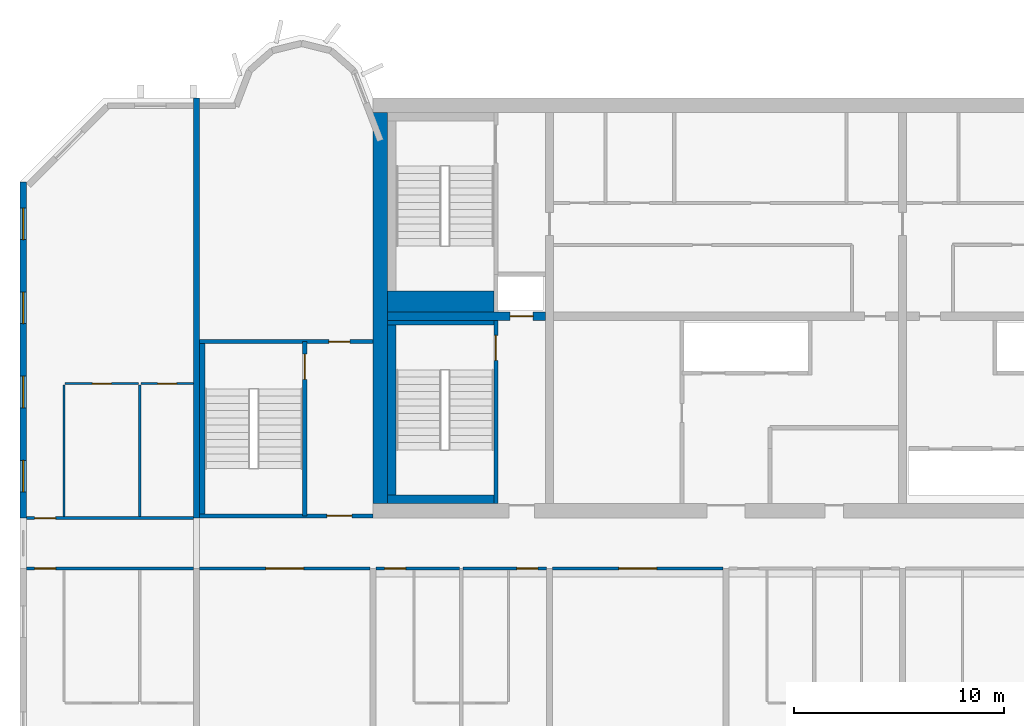
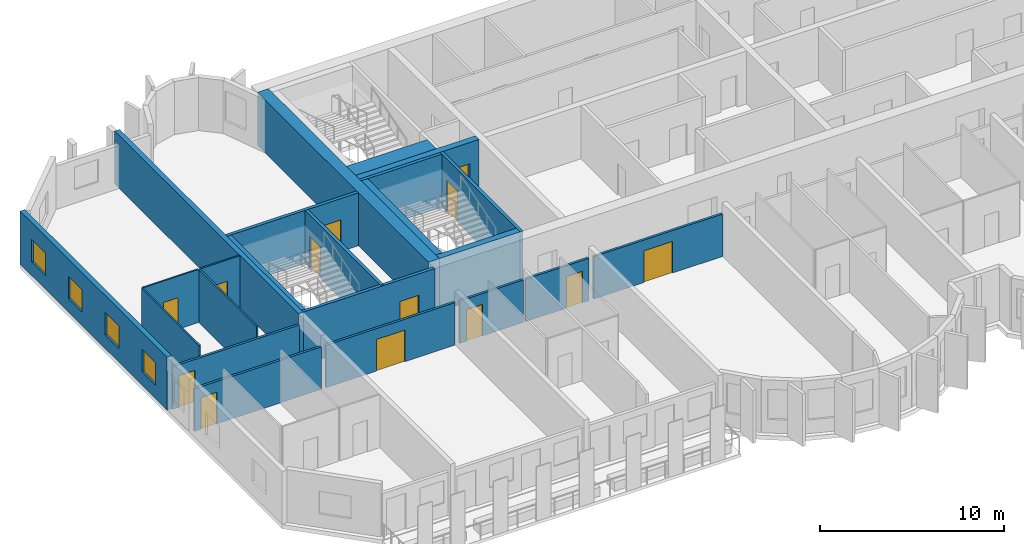
# One storey, part 3 of 13: 23 walls, 13 doors, 4 windows, 17 openings.
"""IFC4 building model written with IfcOpenShell, lengths in metres."""

from ifc_helpers import new_model, si_unit, direction, frame, frame_2d, origin, place, context, subcontext, project, spatial, rectangle, extrude, source, transform, mapped, material, layer, layer_set, type_object, element, fill, save


model = new_model("IFC4")

# Units and contexts
model_context = context("Model", 3, precision=1e-05, world=origin(), true_north=direction((0.0, 1.0)))
body_context = subcontext(model_context, "Body", "Model", "MODEL_VIEW")
ifc_project = project(units=[si_unit("LENGTHUNIT", "METRE"), si_unit("AREAUNIT", "SQUARE_METRE"), si_unit("VOLUMEUNIT", "CUBIC_METRE"), si_unit("PLANEANGLEUNIT", "RADIAN"), si_unit("MASSUNIT", "GRAM", prefix="KILO")], contexts=[model_context])

# Site, building, storey
site_placement = place(None, origin())
site = spatial("IfcSite", under=ifc_project, at=site_placement, CompositionType="ELEMENT")
building_placement = place(site_placement, origin())
building = spatial("IfcBuilding", under=site, at=building_placement, Name="Vanashikhar Sky Hotel", CompositionType="ELEMENT")
storey_placement = place(building_placement, frame((0.0, 0.0, 151.60009765625)))
storey = spatial("IfcBuildingStorey", under=building, at=storey_placement, Name="L36", CompositionType="ELEMENT", Elevation=151.60009765625)

# Wall
ifc_material_1 = material(Name="Concrete M60", Category="concrete")
ifc_layer_1 = layer(ifc_material_1, 0.699951171875)
ifc_layer_set_1 = layer_set([ifc_layer_1], Name="RC core shell wall 700 Concrete M60")
wall_type_1 = type_object("IfcWallType", Name="RC core shell wall 700 Concrete M60", PredefinedType="SHEAR", material=ifc_layer_set_1)
shared_shape_1 = source(origin(), body_context, "Body", "SweptSolid", [
    extrude(rectangle(XDim=18.60009765625, YDim=0.699951171875, at=frame_2d((9.300048828125, 0.0))), origin(), (0.0, 0.0, 1.0), 3.52001953125),
])
wall_1_placement = place(storey_placement, frame((25.550048828125, 22.699951171875, 0.0), z_axis=(0.0, 0.0, 1.0), x_axis=(0.0, 1.0, 0.0)))
element("IfcWall", 1, at=wall_1_placement, inside=storey, type_object=wall_type_1, Name="KW-L36-KW", PredefinedType="SHEAR", context=body_context, shape_type="MappedRepresentation", body=[
    mapped(shared_shape_1, transform((0.0, 0.0, 0.0), scale=1.0)),
])

# Wall, opening, door
ifc_layer_2 = layer(ifc_material_1, 0.39990234375)
ifc_layer_set_2 = layer_set([ifc_layer_2], Name="RC core inner wall 400 Concrete M60")
wall_type_2 = type_object("IfcWallType", Name="RC core inner wall 400 Concrete M60", PredefinedType="SHEAR", material=ifc_layer_set_2)
shared_shape_2 = source(origin(), body_context, "Body", "SweptSolid", [
    extrude(rectangle(XDim=7.5, YDim=0.39990234375, at=frame_2d((3.75, 0.0))), origin(), (0.0, 0.0, 1.0), 3.52001953125),
])
wall_2_placement = place(storey_placement, frame((25.89990234375, 31.60009765625, 0.0), z_axis=(0.0, 0.0, 1.0), x_axis=(1.0, 0.0, 0.0)))
wall_2 = element("IfcWall", 2, at=wall_2_placement, inside=storey, type_object=wall_type_2, Name="KW-L36-KY1", PredefinedType="SHEAR", context=body_context, shape_type="MappedRepresentation", body=[
    mapped(shared_shape_2, transform((0.0, 0.0, 0.0), scale=1.0)),
])
shared_shape_3 = source(origin(), body_context, "Body", "SweptSolid", [
    extrude(rectangle(XDim=1.10009765625, YDim=2.10009765625, at=frame_2d((0.550048828125, 1.050048828125))), frame((0.0, 0.2099609375, 0.0), z_axis=(0.0, -1.0, 0.0), x_axis=(1.0, 0.0, 0.0)), (0.0, 0.0, 1.0), 0.419921875),
])
opening_1_placement = place(wall_2_placement, frame((5.824951171875, 0.0, 0.0)))
opening_1 = element("IfcOpeningElement", 3, at=opening_1_placement, cuts=wall_2, Name="Opening LD", PredefinedType="OPENING", context=body_context, shape_type="MappedRepresentation", body=[
    mapped(shared_shape_3, transform((0.0, 0.0, 0.0), scale=1.0)),
])
ifc_material_2 = material(Name="Stainless steel", Category="steel")
door_type_1 = type_object("IfcDoorType", Name="Lift landing door 1100", OperationType="NOTDEFINED", PredefinedType="DOOR", material=ifc_material_2)
shared_shape_4 = source(origin(), body_context, "Body", "SweptSolid", [
    extrude(rectangle(XDim=1.10009765625, YDim=2.10009765625, at=frame_2d((0.550048828125, 1.050048828125))), frame((0.0, 0.02490234375, 0.0), z_axis=(0.0, -1.0, 0.0), x_axis=(1.0, 0.0, 0.0)), (0.0, 0.0, 1.0), 0.050048828125),
])
door_1_placement = place(opening_1_placement, origin())
door_1 = element("IfcDoor", 4, at=door_1_placement, inside=storey, type_object=door_type_1, Name="Lift landing door 1100", OperationType="SLIDING_TO_RIGHT", OverallHeight=2.10009765625, OverallWidth=1.10009765625, PredefinedType="DOOR", context=body_context, shape_type="MappedRepresentation", body=[
    mapped(shared_shape_4, transform((0.0, 0.0, 0.0), scale=1.0)),
])
fill(opening_1, door_1)

# Wall, openings, windows
ifc_layer_3 = layer(ifc_material_1, 0.300048828125)
ifc_layer_set_3 = layer_set([ifc_layer_3], Name="RC shear wall 300 Concrete M60")
wall_type_3 = type_object("IfcWallType", Name="RC shear wall 300 Concrete M60", PredefinedType="SHEAR", material=ifc_layer_set_3)
shared_shape_5 = source(origin(), body_context, "Body", "SweptSolid", [
    extrude(rectangle(XDim=16.0, YDim=0.300048828125, at=frame_2d((8.0, 0.0))), origin(), (0.0, 0.0, 1.0), 3.52001953125),
])
wall_3_placement = place(storey_placement, frame((8.550048828125, 22.0, 0.0), z_axis=(0.0, 0.0, 1.0), x_axis=(0.0, 1.0, 0.0)))
wall_3 = element("IfcWall", 5, at=wall_3_placement, inside=storey, type_object=wall_type_3, Name="CW-L36-XW02-2", PredefinedType="SHEAR", context=body_context, shape_type="MappedRepresentation", body=[
    mapped(shared_shape_5, transform((0.0, 0.0, 0.0), scale=1.0)),
])
shared_shape_6 = source(origin(), body_context, "Body", "SweptSolid", [
    extrude(rectangle(XDim=1.5, YDim=1.5, at=frame_2d((0.75, 0.75))), frame((0.0, 0.16015625, 0.0), z_axis=(0.0, -1.0, 0.0), x_axis=(1.0, 0.0, 0.0)), (0.0, 0.0, 1.0), 0.320068359375),
])
opening_2_placement = place(wall_3_placement, frame((1.25, 0.0, 0.89990234375)))
opening_2 = element("IfcOpeningElement", 6, at=opening_2_placement, cuts=wall_3, Name="Opening WN-1", PredefinedType="OPENING", context=body_context, shape_type="MappedRepresentation", body=[
    mapped(shared_shape_6, transform((0.0, 0.0, 0.0), scale=1.0)),
])
opening_3_placement = place(wall_3_placement, frame((5.25, 0.0, 0.89990234375)))
opening_3 = element("IfcOpeningElement", 7, at=opening_3_placement, cuts=wall_3, Name="Opening WN-1", PredefinedType="OPENING", context=body_context, shape_type="MappedRepresentation", body=[
    mapped(shared_shape_6, transform((0.0, 0.0, 0.0), scale=1.0)),
])
opening_4_placement = place(wall_3_placement, frame((9.25, 0.0, 0.89990234375)))
opening_4 = element("IfcOpeningElement", 8, at=opening_4_placement, cuts=wall_3, Name="Opening WN-1", PredefinedType="OPENING", context=body_context, shape_type="MappedRepresentation", body=[
    mapped(shared_shape_6, transform((0.0, 0.0, 0.0), scale=1.0)),
])
opening_5_placement = place(wall_3_placement, frame((13.25, 0.0, 0.89990234375)))
opening_5 = element("IfcOpeningElement", 9, at=opening_5_placement, cuts=wall_3, Name="Opening WN-1", PredefinedType="OPENING", context=body_context, shape_type="MappedRepresentation", body=[
    mapped(shared_shape_6, transform((0.0, 0.0, 0.0), scale=1.0)),
])
ifc_material_3 = material(Name="Glass", Category="glass")
window_type = type_object("IfcWindowType", Name="Window 1500 x 1500", PartitioningType="SINGLE_PANEL", PredefinedType="WINDOW", material=ifc_material_3)
shared_shape_7 = source(origin(), body_context, "Body", "SweptSolid", [
    extrude(rectangle(XDim=1.5, YDim=1.5, at=frame_2d((0.75, 0.75))), frame((0.0, 0.030029296875, 0.0), z_axis=(0.0, -1.0, 0.0), x_axis=(1.0, 0.0, 0.0)), (0.0, 0.0, 1.0), 0.06005859375),
])
window_1_placement = place(opening_2_placement, origin())
window_1 = element("IfcWindow", 10, at=window_1_placement, inside=storey, type_object=window_type, Name="Window WN-1", OverallHeight=1.5, OverallWidth=1.5, PartitioningType="SINGLE_PANEL", PredefinedType="WINDOW", context=body_context, shape_type="MappedRepresentation", body=[
    mapped(shared_shape_7, transform((0.0, 0.0, 0.0), scale=1.0)),
])
fill(opening_2, window_1)
window_2_placement = place(opening_3_placement, origin())
window_2 = element("IfcWindow", 11, at=window_2_placement, inside=storey, type_object=window_type, Name="Window WN-1", OverallHeight=1.5, OverallWidth=1.5, PartitioningType="SINGLE_PANEL", PredefinedType="WINDOW", context=body_context, shape_type="MappedRepresentation", body=[
    mapped(shared_shape_7, transform((0.0, 0.0, 0.0), scale=1.0)),
])
fill(opening_3, window_2)
window_3_placement = place(opening_4_placement, origin())
window_3 = element("IfcWindow", 12, at=window_3_placement, inside=storey, type_object=window_type, Name="Window WN-1", OverallHeight=1.5, OverallWidth=1.5, PartitioningType="SINGLE_PANEL", PredefinedType="WINDOW", context=body_context, shape_type="MappedRepresentation", body=[
    mapped(shared_shape_7, transform((0.0, 0.0, 0.0), scale=1.0)),
])
fill(opening_4, window_3)
window_4_placement = place(opening_5_placement, origin())
window_4 = element("IfcWindow", 13, at=window_4_placement, inside=storey, type_object=window_type, Name="Window WN-1", OverallHeight=1.5, OverallWidth=1.5, PartitioningType="SINGLE_PANEL", PredefinedType="WINDOW", context=body_context, shape_type="MappedRepresentation", body=[
    mapped(shared_shape_7, transform((0.0, 0.0, 0.0), scale=1.0)),
])
fill(opening_5, window_4)

# Wall
shared_shape_8 = source(origin(), body_context, "Body", "SweptSolid", [
    extrude(rectangle(XDim=20.0, YDim=0.300048828125, at=frame_2d((10.0, 0.0))), origin(), (0.0, 0.0, 1.0), 3.52001953125),
])
wall_4_placement = place(storey_placement, frame((16.800048828125, 22.0, 0.0), z_axis=(0.0, 0.0, 1.0), x_axis=(0.0, 1.0, 0.0)))
element("IfcWall", 14, at=wall_4_placement, inside=storey, type_object=wall_type_3, Name="CW-L36-XW03-2", PredefinedType="SHEAR", context=body_context, shape_type="MappedRepresentation", body=[
    mapped(shared_shape_8, transform((0.0, 0.0, 0.0), scale=1.0)),
])

# Wall, opening, door
ifc_material_4 = material(Name="Concrete M50", Category="concrete")
ifc_layer_4 = layer(ifc_material_4, 0.199951171875)
ifc_layer_set_4 = layer_set([ifc_layer_4], Name="Stair wall 200")
wall_type_4 = type_object("IfcWallType", Name="Stair wall 200", PredefinedType="SOLIDWALL", material=ifc_layer_set_4)
shared_shape_9 = source(origin(), body_context, "Body", "SweptSolid", [
    extrude(rectangle(XDim=8.2998046875, YDim=0.199951171875, at=frame_2d((4.14990234375, 0.0))), origin(), (0.0, 0.0, 1.0), 3.52001953125),
])
wall_5_placement = place(storey_placement, frame((21.949951171875, 22.10009765625, 0.0), z_axis=(0.0, 0.0, 1.0), x_axis=(0.0, 1.0, 0.0)))
wall_5 = element("IfcWall", 15, at=wall_5_placement, inside=storey, type_object=wall_type_4, Name="Stair wall 200", PredefinedType="SOLIDWALL", context=body_context, shape_type="MappedRepresentation", body=[
    mapped(shared_shape_9, transform((0.0, 0.0, 0.0), scale=1.0)),
])
shared_shape_10 = source(origin(), body_context, "Body", "SweptSolid", [
    extrude(rectangle(XDim=1.199951171875, YDim=2.10009765625, at=frame_2d((0.60009765625, 1.050048828125))), frame((0.0, 0.10986328125, 0.0), z_axis=(0.0, -1.0, 0.0), x_axis=(1.0, 0.0, 0.0)), (0.0, 0.0, 1.0), 0.219970703125),
])
opening_6_placement = place(wall_5_placement, frame((6.5, 0.0, 0.0)))
opening_6 = element("IfcOpeningElement", 16, at=opening_6_placement, cuts=wall_5, Name="Opening DC-1", PredefinedType="OPENING", context=body_context, shape_type="MappedRepresentation", body=[
    mapped(shared_shape_10, transform((0.0, 0.0, 0.0), scale=1.0)),
])
ifc_material_5 = material(Name="Steel", Category="steel")
door_type_2 = type_object("IfcDoorType", Name="Stair door 1200 FD120", OperationType="NOTDEFINED", PredefinedType="DOOR", material=ifc_material_5)
shared_shape_11 = source(origin(), body_context, "Body", "SweptSolid", [
    extrude(rectangle(XDim=1.199951171875, YDim=2.10009765625, at=frame_2d((0.60009765625, 1.050048828125))), frame((0.0, 0.02490234375, 0.0), z_axis=(0.0, -1.0, 0.0), x_axis=(1.0, 0.0, 0.0)), (0.0, 0.0, 1.0), 0.050048828125),
])
door_2_placement = place(opening_6_placement, origin())
door_2 = element("IfcDoor", 17, at=door_2_placement, inside=storey, type_object=door_type_2, Name="Stair door 1200 FD120", OperationType="SINGLE_SWING_LEFT", OverallHeight=2.10009765625, OverallWidth=1.199951171875, PredefinedType="DOOR", context=body_context, shape_type="MappedRepresentation", body=[
    mapped(shared_shape_11, transform((0.0, 0.0, 0.0), scale=1.0)),
])
fill(opening_6, door_2)

shared_shape_12 = source(origin(), body_context, "Body", "SweptSolid", [
    extrude(rectangle(XDim=8.699951171875, YDim=0.199951171875, at=frame_2d((4.35009765625, 0.0))), origin(), (0.0, 0.0, 1.0), 3.52001953125),
])
wall_6_placement = place(storey_placement, frame((31.050048828125, 22.699951171875, 0.0), z_axis=(0.0, 0.0, 1.0), x_axis=(0.0, 1.0, 0.0)))
wall_6 = element("IfcWall", 18, at=wall_6_placement, inside=storey, type_object=wall_type_4, Name="Stair wall 200", PredefinedType="SOLIDWALL", context=body_context, shape_type="MappedRepresentation", body=[
    mapped(shared_shape_12, transform((0.0, 0.0, 0.0), scale=1.0)),
])
opening_7_placement = place(wall_6_placement, frame((6.800048828125, 0.0, 0.0)))
opening_7 = element("IfcOpeningElement", 19, at=opening_7_placement, cuts=wall_6, Name="Opening DC-1", PredefinedType="OPENING", context=body_context, shape_type="MappedRepresentation", body=[
    mapped(shared_shape_10, transform((0.0, 0.0, 0.0), scale=1.0)),
])
door_3_placement = place(opening_7_placement, origin())
door_3 = element("IfcDoor", 20, at=door_3_placement, inside=storey, type_object=door_type_2, Name="Stair door 1200 FD120", OperationType="SINGLE_SWING_LEFT", OverallHeight=2.10009765625, OverallWidth=1.199951171875, PredefinedType="DOOR", context=body_context, shape_type="MappedRepresentation", body=[
    mapped(shared_shape_11, transform((0.0, 0.0, 0.0), scale=1.0)),
])
fill(opening_7, door_3)

shared_shape_13 = source(origin(), body_context, "Body", "SweptSolid", [
    extrude(rectangle(XDim=8.25, YDim=0.199951171875, at=frame_2d((4.125, 0.0))), origin(), (0.0, 0.0, 1.0), 3.52001953125),
])
wall_7_placement = place(storey_placement, frame((16.949951171875, 22.10009765625, 0.0), z_axis=(0.0, 0.0, 1.0), x_axis=(1.0, 0.0, 0.0)))
wall_7 = element("IfcWall", 21, at=wall_7_placement, inside=storey, type_object=wall_type_4, Name="Stair wall 200", PredefinedType="SOLIDWALL", context=body_context, shape_type="MappedRepresentation", body=[
    mapped(shared_shape_13, transform((0.0, 0.0, 0.0), scale=1.0)),
])
opening_8_placement = place(wall_7_placement, frame((6.050048828125, 0.0, 0.0)))
opening_8 = element("IfcOpeningElement", 22, at=opening_8_placement, cuts=wall_7, Name="Opening DC-2", PredefinedType="OPENING", context=body_context, shape_type="MappedRepresentation", body=[
    mapped(shared_shape_10, transform((0.0, 0.0, 0.0), scale=1.0)),
])
door_type_3 = type_object("IfcDoorType", Name="Firefighting lobby door 1200 FD120", OperationType="NOTDEFINED", PredefinedType="DOOR", material=ifc_material_5)
door_4_placement = place(opening_8_placement, origin())
door_4 = element("IfcDoor", 23, at=door_4_placement, inside=storey, type_object=door_type_3, Name="Firefighting lobby door 1200 FD120", OperationType="SINGLE_SWING_LEFT", OverallHeight=2.10009765625, OverallWidth=1.199951171875, PredefinedType="DOOR", context=body_context, shape_type="MappedRepresentation", body=[
    mapped(shared_shape_11, transform((0.0, 0.0, 0.0), scale=1.0)),
])
fill(opening_8, door_4)

wall_8_placement = place(storey_placement, frame((16.949951171875, 30.39990234375, 0.0), z_axis=(0.0, 0.0, 1.0), x_axis=(1.0, 0.0, 0.0)))
wall_8 = element("IfcWall", 24, at=wall_8_placement, inside=storey, type_object=wall_type_4, Name="Stair wall 200", PredefinedType="SOLIDWALL", context=body_context, shape_type="MappedRepresentation", body=[
    mapped(shared_shape_13, transform((0.0, 0.0, 0.0), scale=1.0)),
])
shared_shape_14 = source(origin(), body_context, "Body", "SweptSolid", [
    extrude(rectangle(XDim=1.0, YDim=2.10009765625, at=frame_2d((0.5, 1.050048828125))), frame((0.0, 0.10986328125, 0.0), z_axis=(0.0, -1.0, 0.0), x_axis=(1.0, 0.0, 0.0)), (0.0, 0.0, 1.0), 0.219970703125),
])
opening_9_placement = place(wall_8_placement, frame((6.14990234375, 0.0, 0.0)))
opening_9 = element("IfcOpeningElement", 25, at=opening_9_placement, cuts=wall_8, Name="Opening DC-6", PredefinedType="OPENING", context=body_context, shape_type="MappedRepresentation", body=[
    mapped(shared_shape_14, transform((0.0, 0.0, 0.0), scale=1.0)),
])
door_type_4 = type_object("IfcDoorType", Name="Pocket door 1000 FD60", OperationType="NOTDEFINED", PredefinedType="DOOR", material=ifc_material_5)
shared_shape_15 = source(origin(), body_context, "Body", "SweptSolid", [
    extrude(rectangle(XDim=1.0, YDim=2.10009765625, at=frame_2d((0.5, 1.050048828125))), frame((0.0, 0.02490234375, 0.0), z_axis=(0.0, -1.0, 0.0), x_axis=(1.0, 0.0, 0.0)), (0.0, 0.0, 1.0), 0.050048828125),
])
door_5_placement = place(opening_9_placement, origin())
door_5 = element("IfcDoor", 26, at=door_5_placement, inside=storey, type_object=door_type_4, Name="Pocket door 1000 FD60", OperationType="SINGLE_SWING_LEFT", OverallHeight=2.10009765625, OverallWidth=1.0, PredefinedType="DOOR", context=body_context, shape_type="MappedRepresentation", body=[
    mapped(shared_shape_15, transform((0.0, 0.0, 0.0), scale=1.0)),
])
fill(opening_9, door_5)

# Walls
ifc_layer_5 = layer(ifc_material_4, 0.39990234375)
ifc_layer_set_5 = layer_set([ifc_layer_5], Name="Stair infill wall 400")
wall_type_5 = type_object("IfcWallType", Name="Stair infill wall 400", PredefinedType="SOLIDWALL", material=ifc_layer_set_5)
shared_shape_16 = source(origin(), body_context, "Body", "SweptSolid", [
    extrude(rectangle(XDim=5.050048828125, YDim=0.39990234375, at=frame_2d((2.52490234375, 0.0))), origin(), (0.0, 0.0, 1.0), 3.52001953125),
])
wall_9_placement = place(storey_placement, frame((25.89990234375, 22.89990234375, 0.0), z_axis=(0.0, 0.0, 1.0), x_axis=(1.0, 0.0, 0.0)))
element("IfcWall", 27, at=wall_9_placement, inside=storey, type_object=wall_type_5, Name="Stair infill wall 400", PredefinedType="SOLIDWALL", context=body_context, shape_type="MappedRepresentation", body=[
    mapped(shared_shape_16, transform((0.0, 0.0, 0.0), scale=1.0)),
])
ifc_layer_6 = layer(ifc_material_4, 0.199951171875)
ifc_layer_set_6 = layer_set([ifc_layer_6], Name="Stair infill wall 200")
wall_type_6 = type_object("IfcWallType", Name="Stair infill wall 200", PredefinedType="SOLIDWALL", material=ifc_layer_set_6)
shared_shape_17 = source(origin(), body_context, "Body", "SweptSolid", [
    extrude(rectangle(XDim=5.050048828125, YDim=0.199951171875, at=frame_2d((2.52490234375, 0.0))), origin(), (0.0, 0.0, 1.0), 3.52001953125),
])
wall_10_placement = place(storey_placement, frame((25.89990234375, 31.300048828125, 0.0), z_axis=(0.0, 0.0, 1.0), x_axis=(1.0, 0.0, 0.0)))
element("IfcWall", 28, at=wall_10_placement, inside=storey, type_object=wall_type_6, Name="Stair infill wall 200", PredefinedType="SOLIDWALL", context=body_context, shape_type="MappedRepresentation", body=[
    mapped(shared_shape_17, transform((0.0, 0.0, 0.0), scale=1.0)),
])
shared_shape_18 = source(origin(), body_context, "Body", "SweptSolid", [
    extrude(rectangle(XDim=8.099853515625, YDim=0.39990234375, at=frame_2d((4.0498046875, 0.0))), origin(), (0.0, 0.0, 1.0), 3.52001953125),
])
wall_11_placement = place(storey_placement, frame((26.10009765625, 23.10009765625, 0.0), z_axis=(0.0, 0.0, 1.0), x_axis=(0.0, 1.0, 0.0)))
element("IfcWall", 29, at=wall_11_placement, inside=storey, type_object=wall_type_5, Name="Stair infill wall 400", PredefinedType="SOLIDWALL", context=body_context, shape_type="MappedRepresentation", body=[
    mapped(shared_shape_18, transform((0.0, 0.0, 0.0), scale=1.0)),
])
ifc_layer_7 = layer(ifc_material_4, 0.25)
ifc_layer_set_7 = layer_set([ifc_layer_7], Name="Stair infill wall 250")
wall_type_7 = type_object("IfcWallType", Name="Stair infill wall 250", PredefinedType="SOLIDWALL", material=ifc_layer_set_7)
shared_shape_19 = source(origin(), body_context, "Body", "SweptSolid", [
    extrude(rectangle(XDim=8.10009765625, YDim=0.25, at=frame_2d((4.050048828125, 0.0))), origin(), (0.0, 0.0, 1.0), 3.52001953125),
])
wall_12_placement = place(storey_placement, frame((17.074951171875, 22.199951171875, 0.0), z_axis=(0.0, 0.0, 1.0), x_axis=(0.0, 1.0, 0.0)))
element("IfcWall", 30, at=wall_12_placement, inside=storey, type_object=wall_type_7, Name="Stair infill wall 250", PredefinedType="SOLIDWALL", context=body_context, shape_type="MappedRepresentation", body=[
    mapped(shared_shape_19, transform((0.0, 0.0, 0.0), scale=1.0)),
])
ifc_layer_8 = layer(ifc_material_4, 1.0)
ifc_layer_set_8 = layer_set([ifc_layer_8], Name="Stair infill wall 1000")
wall_type_8 = type_object("IfcWallType", Name="Stair infill wall 1000", PredefinedType="SOLIDWALL", material=ifc_layer_set_8)
shared_shape_20 = source(origin(), body_context, "Body", "SweptSolid", [
    extrude(rectangle(XDim=5.050048828125, YDim=1.0, at=frame_2d((2.52490234375, 0.0))), origin(), (0.0, 0.0, 1.0), 3.52001953125),
])
wall_13_placement = place(storey_placement, frame((25.89990234375, 32.300048828125, 0.0), z_axis=(0.0, 0.0, 1.0), x_axis=(1.0, 0.0, 0.0)))
element("IfcWall", 31, at=wall_13_placement, inside=storey, type_object=wall_type_8, Name="Stair infill wall 1000", PredefinedType="SOLIDWALL", context=body_context, shape_type="MappedRepresentation", body=[
    mapped(shared_shape_20, transform((0.0, 0.0, 0.0), scale=1.0)),
])

# Wall, opening, door
ifc_material_6 = material(Name="Gypsum plasterboard partition")
ifc_layer_9 = layer(ifc_material_6, 0.10009765625)
ifc_layer_set_9 = layer_set([ifc_layer_9], Name="Wet room partition 100")
wall_type_9 = type_object("IfcWallType", Name="Wet room partition 100", PredefinedType="PARTITIONING", material=ifc_layer_set_9)
shared_shape_21 = source(origin(), body_context, "Body", "SweptSolid", [
    extrude(rectangle(XDim=3.5, YDim=0.10009765625, at=frame_2d((1.75, 0.0))), origin(), (0.0, 0.0, 1.0), 3.52001953125),
])
wall_14_placement = place(storey_placement, frame((10.550048828125, 28.39990234375, 0.0), z_axis=(0.0, 0.0, 1.0), x_axis=(1.0, 0.0, 0.0)))
wall_14 = element("IfcWall", 32, at=wall_14_placement, inside=storey, type_object=wall_type_9, Name="W-L36-PW057", PredefinedType="PARTITIONING", context=body_context, shape_type="MappedRepresentation", body=[
    mapped(shared_shape_21, transform((0.0, 0.0, 0.0), scale=1.0)),
])
shared_shape_22 = source(origin(), body_context, "Body", "SweptSolid", [
    extrude(rectangle(XDim=0.89990234375, YDim=2.10009765625, at=frame_2d((0.449951171875, 1.050048828125))), frame((0.0, 0.06005859375, 0.0), z_axis=(0.0, -1.0, 0.0), x_axis=(1.0, 0.0, 0.0)), (0.0, 0.0, 1.0), 0.1201171875),
])
opening_10_placement = place(wall_14_placement, frame((1.300048828125, 0.0, 0.0)))
opening_10 = element("IfcOpeningElement", 33, at=opening_10_placement, cuts=wall_14, Name="Opening D-02", PredefinedType="OPENING", context=body_context, shape_type="MappedRepresentation", body=[
    mapped(shared_shape_22, transform((0.0, 0.0, 0.0), scale=1.0)),
])
ifc_material_7 = material(Name="Timber door", Category="wood")
door_type_5 = type_object("IfcDoorType", Name="Internal door 900", OperationType="NOTDEFINED", PredefinedType="DOOR", material=ifc_material_7)
shared_shape_23 = source(origin(), body_context, "Body", "SweptSolid", [
    extrude(rectangle(XDim=0.89990234375, YDim=2.10009765625, at=frame_2d((0.449951171875, 1.050048828125))), frame((0.0, 0.02490234375, 0.0), z_axis=(0.0, -1.0, 0.0), x_axis=(1.0, 0.0, 0.0)), (0.0, 0.0, 1.0), 0.050048828125),
])
door_6_placement = place(opening_10_placement, origin())
door_6 = element("IfcDoor", 34, at=door_6_placement, inside=storey, type_object=door_type_5, Name="D-L36-032", OperationType="SINGLE_SWING_LEFT", OverallHeight=2.10009765625, OverallWidth=0.89990234375, PredefinedType="DOOR", context=body_context, shape_type="MappedRepresentation", body=[
    mapped(shared_shape_23, transform((0.0, 0.0, 0.0), scale=1.0)),
])
fill(opening_10, door_6)

# Walls
shared_shape_24 = source(origin(), body_context, "Body", "SweptSolid", [
    extrude(rectangle(XDim=6.25, YDim=0.10009765625, at=frame_2d((3.125, 0.0))), origin(), (0.0, 0.0, 1.0), 3.52001953125),
])
for number, where, z_axis, x_axis, name in (
    (35, (10.5, 22.074951171875, 0.0), (0.0, 0.0, 1.0), (0.0, 1.0, 0.0), "W-L36-PW055"),
    (36, (14.10009765625, 22.074951171875, 0.0), (0.0, 0.0, 1.0), (0.0, 1.0, 0.0), "W-L36-PW056"),
):
    element("IfcWall", number, at=place(storey_placement, frame(where, z_axis=z_axis, x_axis=x_axis)), inside=storey, type_object=wall_type_9, Name=name, PredefinedType="PARTITIONING", context=body_context, shape_type="MappedRepresentation", body=[
        mapped(shared_shape_24, transform((0.0, 0.0, 0.0), scale=1.0)),
    ])

# Wall, opening, door
shared_shape_25 = source(origin(), body_context, "Body", "SweptSolid", [
    extrude(rectangle(XDim=2.5, YDim=0.10009765625, at=frame_2d((1.25, 0.0))), origin(), (0.0, 0.0, 1.0), 3.52001953125),
])
wall_15_placement = place(storey_placement, frame((14.14990234375, 28.39990234375, 0.0), z_axis=(0.0, 0.0, 1.0), x_axis=(1.0, 0.0, 0.0)))
wall_15 = element("IfcWall", 37, at=wall_15_placement, inside=storey, type_object=wall_type_9, Name="W-L36-PW058", PredefinedType="PARTITIONING", context=body_context, shape_type="MappedRepresentation", body=[
    mapped(shared_shape_25, transform((0.0, 0.0, 0.0), scale=1.0)),
])
opening_11_placement = place(wall_15_placement, frame((0.800048828125, 0.0, 0.0)))
opening_11 = element("IfcOpeningElement", 38, at=opening_11_placement, cuts=wall_15, Name="Opening D-02", PredefinedType="OPENING", context=body_context, shape_type="MappedRepresentation", body=[
    mapped(shared_shape_22, transform((0.0, 0.0, 0.0), scale=1.0)),
])
door_7_placement = place(opening_11_placement, origin())
door_7 = element("IfcDoor", 39, at=door_7_placement, inside=storey, type_object=door_type_5, Name="D-L36-033", OperationType="SINGLE_SWING_LEFT", OverallHeight=2.10009765625, OverallWidth=0.89990234375, PredefinedType="DOOR", context=body_context, shape_type="MappedRepresentation", body=[
    mapped(shared_shape_23, transform((0.0, 0.0, 0.0), scale=1.0)),
])
fill(opening_11, door_7)

ifc_layer_10 = layer(ifc_material_6, 0.14990234375)
ifc_layer_set_10 = layer_set([ifc_layer_10], Name="Corridor and demising partition 150")
wall_type_10 = type_object("IfcWallType", Name="Corridor and demising partition 150", PredefinedType="PARTITIONING", material=ifc_layer_set_10)
shared_shape_26 = source(origin(), body_context, "Body", "SweptSolid", [
    extrude(rectangle(XDim=7.949951171875, YDim=0.14990234375, at=frame_2d((3.97509765625, 0.0))), origin(), (0.0, 0.0, 1.0), 2.81982421875),
])
wall_16_placement = place(storey_placement, frame((8.699951171875, 19.60009765625, 0.0), z_axis=(0.0, 0.0, 1.0), x_axis=(1.0, 0.0, 0.0)))
wall_16 = element("IfcWall", 40, at=wall_16_placement, inside=storey, type_object=wall_type_10, Name="W-L36-PW005", PredefinedType="PARTITIONING", context=body_context, shape_type="MappedRepresentation", body=[
    mapped(shared_shape_26, transform((0.0, 0.0, 0.0), scale=1.0)),
])
shared_shape_27 = source(origin(), body_context, "Body", "SweptSolid", [
    extrude(rectangle(XDim=1.0, YDim=2.10009765625, at=frame_2d((0.5, 1.050048828125))), frame((0.0, 0.0849609375, 0.0), z_axis=(0.0, -1.0, 0.0), x_axis=(1.0, 0.0, 0.0)), (0.0, 0.0, 1.0), 0.169921875),
])
opening_12_placement = place(wall_16_placement, frame((0.39990234375, 0.0, 0.0)))
opening_12 = element("IfcOpeningElement", 41, at=opening_12_placement, cuts=wall_16, Name="Opening D-01", PredefinedType="OPENING", context=body_context, shape_type="MappedRepresentation", body=[
    mapped(shared_shape_27, transform((0.0, 0.0, 0.0), scale=1.0)),
])
ifc_material_8 = material(Name="Timber fire door", Category="wood")
door_type_6 = type_object("IfcDoorType", Name="Guest entry door 1000 FD30S", OperationType="NOTDEFINED", PredefinedType="DOOR", material=ifc_material_8)
door_8_placement = place(opening_12_placement, origin())
door_8 = element("IfcDoor", 42, at=door_8_placement, inside=storey, type_object=door_type_6, Name="D-L36-003", OperationType="SINGLE_SWING_LEFT", OverallHeight=2.10009765625, OverallWidth=1.0, PredefinedType="DOOR", context=body_context, shape_type="MappedRepresentation", body=[
    mapped(shared_shape_15, transform((0.0, 0.0, 0.0), scale=1.0)),
])
fill(opening_12, door_8)

wall_17_placement = place(storey_placement, frame((8.699951171875, 22.0, 0.0), z_axis=(0.0, 0.0, 1.0), x_axis=(1.0, 0.0, 0.0)))
wall_17 = element("IfcWall", 43, at=wall_17_placement, inside=storey, type_object=wall_type_10, Name="W-L36-PW059", PredefinedType="PARTITIONING", context=body_context, shape_type="MappedRepresentation", body=[
    mapped(shared_shape_26, transform((0.0, 0.0, 0.0), scale=1.0)),
])
opening_13_placement = place(wall_17_placement, frame((0.39990234375, 0.0, 0.0)))
opening_13 = element("IfcOpeningElement", 44, at=opening_13_placement, cuts=wall_17, Name="Opening D-01", PredefinedType="OPENING", context=body_context, shape_type="MappedRepresentation", body=[
    mapped(shared_shape_27, transform((0.0, 0.0, 0.0), scale=1.0)),
])
door_9_placement = place(opening_13_placement, origin())
door_9 = element("IfcDoor", 45, at=door_9_placement, inside=storey, type_object=door_type_6, Name="D-L36-034", OperationType="SINGLE_SWING_LEFT", OverallHeight=2.10009765625, OverallWidth=1.0, PredefinedType="DOOR", context=body_context, shape_type="MappedRepresentation", body=[
    mapped(shared_shape_15, transform((0.0, 0.0, 0.0), scale=1.0)),
])
fill(opening_13, door_9)

shared_shape_28 = source(origin(), body_context, "Body", "SweptSolid", [
    extrude(rectangle(XDim=8.10009765625, YDim=0.14990234375, at=frame_2d((4.050048828125, 0.0))), origin(), (0.0, 0.0, 1.0), 2.81982421875),
])
wall_18_placement = place(storey_placement, frame((16.949951171875, 19.60009765625, 0.0), z_axis=(0.0, 0.0, 1.0), x_axis=(1.0, 0.0, 0.0)))
wall_18 = element("IfcWall", 46, at=wall_18_placement, inside=storey, type_object=wall_type_10, Name="W-L36-PW006", PredefinedType="PARTITIONING", context=body_context, shape_type="MappedRepresentation", body=[
    mapped(shared_shape_28, transform((0.0, 0.0, 0.0), scale=1.0)),
])
shared_shape_29 = source(origin(), body_context, "Body", "SweptSolid", [
    extrude(rectangle(XDim=1.800048828125, YDim=2.10009765625, at=frame_2d((0.89990234375, 1.050048828125))), frame((0.0, 0.0849609375, 0.0), z_axis=(0.0, -1.0, 0.0), x_axis=(1.0, 0.0, 0.0)), (0.0, 0.0, 1.0), 0.169921875),
])
opening_14_placement = place(wall_18_placement, frame((3.14990234375, 0.0, 0.0)))
opening_14 = element("IfcOpeningElement", 47, at=opening_14_placement, cuts=wall_18, Name="Opening D-03", PredefinedType="OPENING", context=body_context, shape_type="MappedRepresentation", body=[
    mapped(shared_shape_29, transform((0.0, 0.0, 0.0), scale=1.0)),
])
door_type_7 = type_object("IfcDoorType", Name="Double leaf door 1800 FD30S", OperationType="NOTDEFINED", PredefinedType="DOOR", material=ifc_material_8)
shared_shape_30 = source(origin(), body_context, "Body", "SweptSolid", [
    extrude(rectangle(XDim=1.800048828125, YDim=2.10009765625, at=frame_2d((0.89990234375, 1.050048828125))), frame((0.0, 0.02490234375, 0.0), z_axis=(0.0, -1.0, 0.0), x_axis=(1.0, 0.0, 0.0)), (0.0, 0.0, 1.0), 0.050048828125),
])
door_10_placement = place(opening_14_placement, origin())
door_10 = element("IfcDoor", 48, at=door_10_placement, inside=storey, type_object=door_type_7, Name="D-L36-004", OperationType="DOUBLE_DOOR_SINGLE_SWING", OverallHeight=2.10009765625, OverallWidth=1.800048828125, PredefinedType="DOOR", context=body_context, shape_type="MappedRepresentation", body=[
    mapped(shared_shape_30, transform((0.0, 0.0, 0.0), scale=1.0)),
])
fill(opening_14, door_10)

wall_19_placement = place(storey_placement, frame((33.75, 19.60009765625, 0.0), z_axis=(0.0, 0.0, 1.0), x_axis=(1.0, 0.0, 0.0)))
wall_19 = element("IfcWall", 49, at=wall_19_placement, inside=storey, type_object=wall_type_10, Name="W-L36-PW014", PredefinedType="PARTITIONING", context=body_context, shape_type="MappedRepresentation", body=[
    mapped(shared_shape_28, transform((0.0, 0.0, 0.0), scale=1.0)),
])
opening_15_placement = place(wall_19_placement, frame((3.14990234375, 0.0, 0.0)))
opening_15 = element("IfcOpeningElement", 50, at=opening_15_placement, cuts=wall_19, Name="Opening D-03", PredefinedType="OPENING", context=body_context, shape_type="MappedRepresentation", body=[
    mapped(shared_shape_29, transform((0.0, 0.0, 0.0), scale=1.0)),
])
door_11_placement = place(opening_15_placement, origin())
door_11 = element("IfcDoor", 51, at=door_11_placement, inside=storey, type_object=door_type_7, Name="D-L36-009", OperationType="DOUBLE_DOOR_SINGLE_SWING", OverallHeight=2.10009765625, OverallWidth=1.800048828125, PredefinedType="DOOR", context=body_context, shape_type="MappedRepresentation", body=[
    mapped(shared_shape_30, transform((0.0, 0.0, 0.0), scale=1.0)),
])
fill(opening_15, door_11)

shared_shape_31 = source(origin(), body_context, "Body", "SweptSolid", [
    extrude(rectangle(XDim=3.974853515625, YDim=0.14990234375, at=frame_2d((1.9873046875, 0.0))), origin(), (0.0, 0.0, 1.0), 2.81982421875),
])
wall_20_placement = place(storey_placement, frame((25.35009765625, 19.60009765625, 0.0), z_axis=(0.0, 0.0, 1.0), x_axis=(1.0, 0.0, 0.0)))
wall_20 = element("IfcWall", 52, at=wall_20_placement, inside=storey, type_object=wall_type_10, Name="W-L36-PW009", PredefinedType="PARTITIONING", context=body_context, shape_type="MappedRepresentation", body=[
    mapped(shared_shape_31, transform((0.0, 0.0, 0.0), scale=1.0)),
])
opening_16_placement = place(wall_20_placement, frame((0.39990234375, 0.0, 0.0)))
opening_16 = element("IfcOpeningElement", 53, at=opening_16_placement, cuts=wall_20, Name="Opening D-01", PredefinedType="OPENING", context=body_context, shape_type="MappedRepresentation", body=[
    mapped(shared_shape_27, transform((0.0, 0.0, 0.0), scale=1.0)),
])
door_12_placement = place(opening_16_placement, origin())
door_12 = element("IfcDoor", 54, at=door_12_placement, inside=storey, type_object=door_type_6, Name="D-L36-006", OperationType="SINGLE_SWING_LEFT", OverallHeight=2.10009765625, OverallWidth=1.0, PredefinedType="DOOR", context=body_context, shape_type="MappedRepresentation", body=[
    mapped(shared_shape_15, transform((0.0, 0.0, 0.0), scale=1.0)),
])
fill(opening_16, door_12)

wall_21_placement = place(storey_placement, frame((29.47509765625, 19.60009765625, 0.0), z_axis=(0.0, 0.0, 1.0), x_axis=(1.0, 0.0, 0.0)))
wall_21 = element("IfcWall", 55, at=wall_21_placement, inside=storey, type_object=wall_type_10, Name="W-L36-PW012", PredefinedType="PARTITIONING", context=body_context, shape_type="MappedRepresentation", body=[
    mapped(shared_shape_31, transform((0.0, 0.0, 0.0), scale=1.0)),
])
opening_17_placement = place(wall_21_placement, frame((2.574951171875, 0.0, 0.0)))
opening_17 = element("IfcOpeningElement", 56, at=opening_17_placement, cuts=wall_21, Name="Opening D-01", PredefinedType="OPENING", context=body_context, shape_type="MappedRepresentation", body=[
    mapped(shared_shape_27, transform((0.0, 0.0, 0.0), scale=1.0)),
])
door_13_placement = place(opening_17_placement, origin())
door_13 = element("IfcDoor", 57, at=door_13_placement, inside=storey, type_object=door_type_6, Name="D-L36-008", OperationType="SINGLE_SWING_RIGHT", OverallHeight=2.10009765625, OverallWidth=1.0, PredefinedType="DOOR", context=body_context, shape_type="MappedRepresentation", body=[
    mapped(shared_shape_15, transform((0.0, 0.0, 0.0), scale=1.0)),
])
fill(opening_17, door_13)

save(model, "model.ifc")
